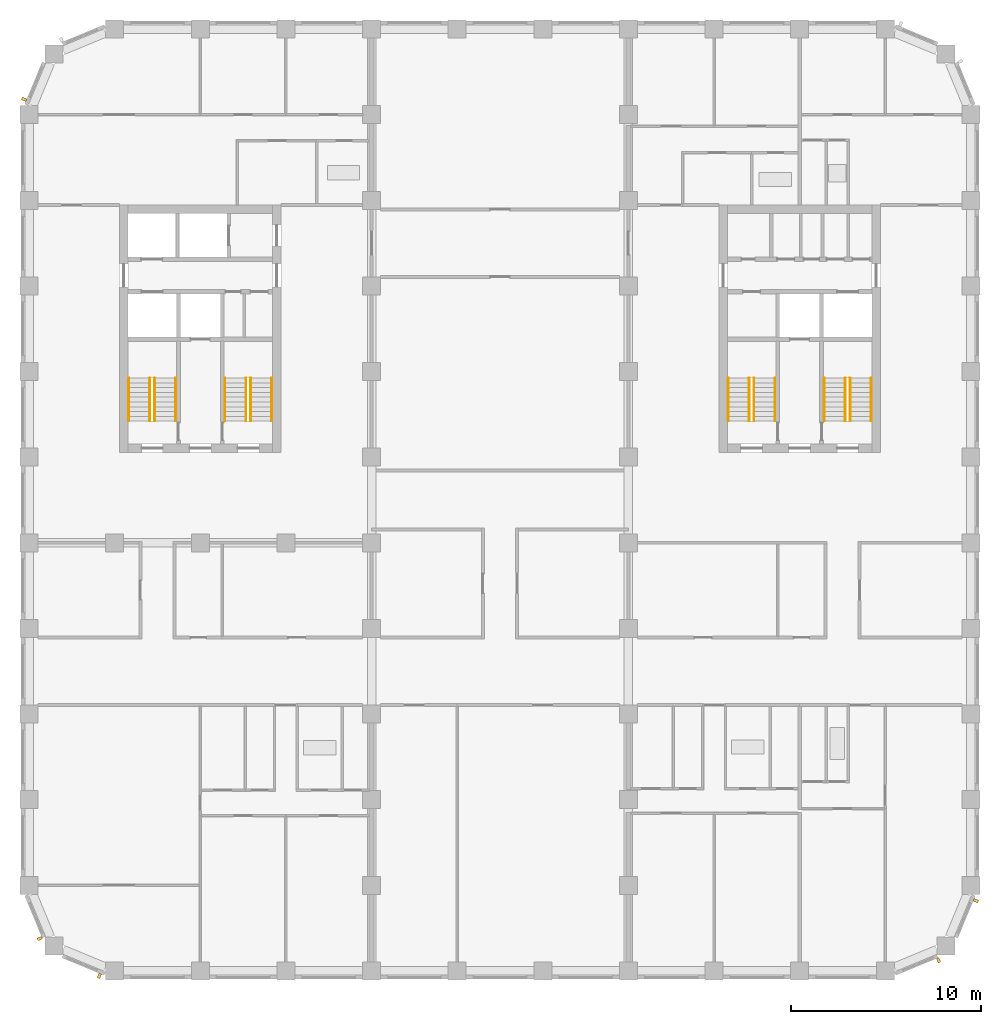
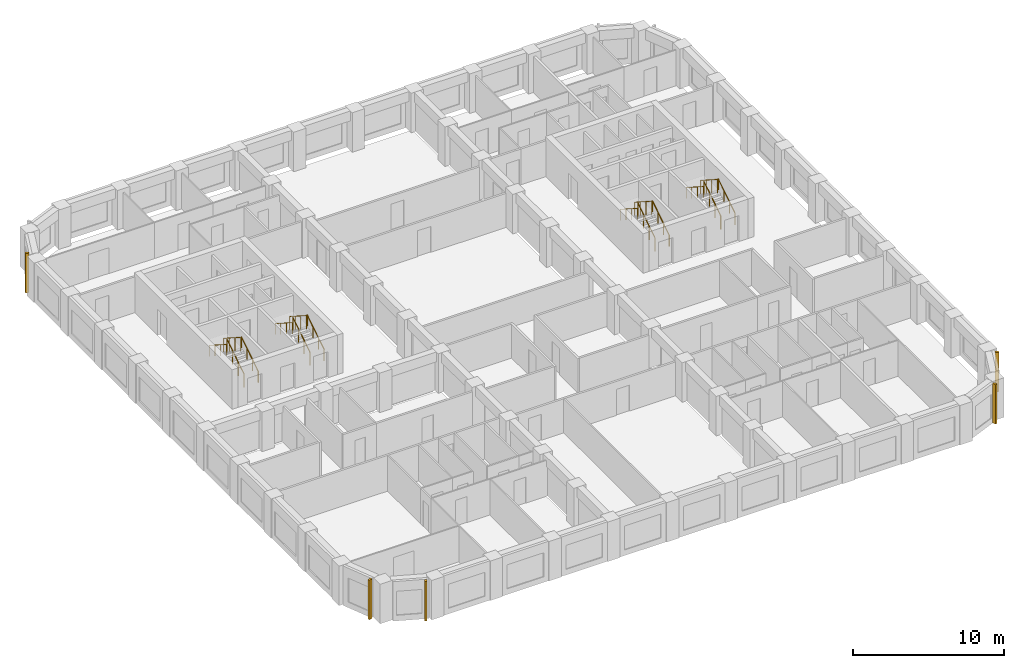
# One storey, part 10 of 12: 16 railings, 5 shading devices.
"""IFC4 building model written with IfcOpenShell, lengths in metres."""

from ifc_helpers import new_model, si_unit, direction, frame, origin, origin_2d, place, context, subcontext, project, spatial, rectangle, circle, extrude, material, type_object, element, save


model = new_model("IFC4")

# Units and contexts
model_context = context("Model", 3, precision=1e-05, world=origin(), true_north=direction((0.0, 1.0)))
body_context = subcontext(model_context, "Body", "Model", "MODEL_VIEW")
ifc_project = project(units=[si_unit("LENGTHUNIT", "METRE"), si_unit("AREAUNIT", "SQUARE_METRE"), si_unit("VOLUMEUNIT", "CUBIC_METRE"), si_unit("PLANEANGLEUNIT", "RADIAN"), si_unit("MASSUNIT", "GRAM", prefix="KILO")], contexts=[model_context])

# Site, building, storey
site_placement = place(None, origin())
site = spatial("IfcSite", under=ifc_project, at=site_placement, CompositionType="ELEMENT")
building_placement = place(site_placement, origin())
building = spatial("IfcBuilding", under=site, at=building_placement, Name="Girih Gate Residences", CompositionType="ELEMENT")
storey_placement = place(building_placement, frame((0.0, 0.0, 139.800048828125)))
storey = spatial("IfcBuildingStorey", under=building, at=storey_placement, Name="L39", CompositionType="ELEMENT", Elevation=139.800048828125)

# Shading devices
ifc_material_1 = material(Name="Precast concrete C50/60", Category="concrete")
shading_device_type = type_object("IfcShadingDeviceType", Name="Corner rib 150x250", PredefinedType="USERDEFINED", material=ifc_material_1)
for number, where, z_axis, x_axis, name in (
    (1, (0.562255859375, 1.705322265625, 0.0), (0.0, 0.0, 1.0), (0.382683432365, -0.923879532511, 0.0), "Corner rib SW0000_0045.0"),
    (2, (3.691650390625, -0.260498046875, 0.0), (0.0, 0.0, 1.0), (0.923879532511, -0.382683432365, 0.0), "Corner rib SW0013_0013.0"),
    (3, (47.794677734375, 0.562255859375, 0.0), (0.0, 0.0, 1.0), (0.923879532511, 0.382683432365, 0.0), "Corner rib SE0450_0000.0"),
    (4, (49.760498046875, 3.691650390625, 0.0), (0.0, 0.0, 1.0), (0.382683432365, 0.923879532511, 0.0), "Corner rib SE0482_0013.0"),
    (5, (-0.260498046875, 45.808349609375, 0.0), (0.0, 0.0, 1.0), (-0.382683432365, -0.923879532511, 0.0), "Corner rib NW0013_0482.0"),
):
    element("IfcShadingDevice", number, at=place(storey_placement, frame(where, z_axis=z_axis, x_axis=x_axis)), inside=storey, type_object=shading_device_type, Name=name, ObjectType="FIN", PredefinedType="USERDEFINED", context=body_context, shape_type="SweptSolid", body=[
        extrude(rectangle(XDim=0.14990234375, YDim=0.25, at=origin_2d()), origin(), (0.0, 0.0, 1.0), 3.199951171875),
    ])

# Railings
ifc_material_2 = material(Name="Stainless steel", Category="steel")
railing_type_1 = type_object("IfcRailingType", Name="Stair guard 1100", PredefinedType="GUARDRAIL", material=ifc_material_2)
railing_1_placement = place(storey_placement, frame((6.60009765625, 28.89990234375, 0.159912109375)))
element("IfcRailing", 6, at=railing_1_placement, inside=storey, type_object=railing_type_1, Name="L39 ST-W1 stair guard 1", PredefinedType="GUARDRAIL", context=body_context, shape_type="SweptSolid", body=[
    extrude(circle(Radius=0.02392578125, at=origin_2d()), frame((0.0, 0.0, 1.076171875), z_axis=(0.0, 0.842281359387, 0.539038135598), x_axis=(-1.0, 0.0, 0.0)), (0.0, 0.0, 1.0), 2.67138671875),
    extrude(circle(Radius=0.02099609375, at=origin_2d()), origin(), (0.0, 0.0, 1.0), 1.052001953125),
    extrude(circle(Radius=0.02099609375, at=origin_2d()), frame((0.0, 0.75, 0.47998046875)), (0.0, 0.0, 1.0), 1.052001953125),
    extrude(circle(Radius=0.02099609375, at=origin_2d()), frame((0.0, 1.5, 0.9599609375)), (0.0, 0.0, 1.0), 1.052001953125),
    extrude(circle(Radius=0.02099609375, at=origin_2d()), frame((0.0, 2.25, 1.43994140625)), (0.0, 0.0, 1.0), 1.052001953125),
])
railing_2_placement = place(storey_placement, frame((6.35009765625, 31.14990234375, 1.760009765625)))
element("IfcRailing", 7, at=railing_2_placement, inside=storey, type_object=railing_type_1, Name="L39 ST-W1 stair guard 2", PredefinedType="GUARDRAIL", context=body_context, shape_type="SweptSolid", body=[
    extrude(circle(Radius=0.02392578125, at=origin_2d()), frame((0.0, 0.0, 1.076171875), z_axis=(0.0, -0.842281359387, 0.539038135598), x_axis=(1.0, 0.0, 0.0)), (0.0, 0.0, 1.0), 2.67138671875),
    extrude(circle(Radius=0.02099609375, at=origin_2d()), origin(), (0.0, 0.0, 1.0), 1.052001953125),
    extrude(circle(Radius=0.02099609375, at=origin_2d()), frame((0.0, -0.75, 0.47998046875)), (0.0, 0.0, 1.0), 1.052001953125),
    extrude(circle(Radius=0.02099609375, at=origin_2d()), frame((0.0, -1.5, 0.9599609375)), (0.0, 0.0, 1.0), 1.052001953125),
    extrude(circle(Radius=0.02099609375, at=origin_2d()), frame((0.0, -2.25, 1.43994140625)), (0.0, 0.0, 1.0), 1.052001953125),
])
railing_3_placement = place(storey_placement, frame((11.64990234375, 28.89990234375, 0.159912109375)))
element("IfcRailing", 8, at=railing_3_placement, inside=storey, type_object=railing_type_1, Name="L39 ST-W2 stair guard 1", PredefinedType="GUARDRAIL", context=body_context, shape_type="SweptSolid", body=[
    extrude(circle(Radius=0.02392578125, at=origin_2d()), frame((0.0, 0.0, 1.076171875), z_axis=(0.0, 0.842281359387, 0.539038135598), x_axis=(-1.0, 0.0, 0.0)), (0.0, 0.0, 1.0), 2.67138671875),
    extrude(circle(Radius=0.02099609375, at=origin_2d()), origin(), (0.0, 0.0, 1.0), 1.052001953125),
    extrude(circle(Radius=0.02099609375, at=origin_2d()), frame((0.0, 0.75, 0.47998046875)), (0.0, 0.0, 1.0), 1.052001953125),
    extrude(circle(Radius=0.02099609375, at=origin_2d()), frame((0.0, 1.5, 0.9599609375)), (0.0, 0.0, 1.0), 1.052001953125),
    extrude(circle(Radius=0.02099609375, at=origin_2d()), frame((0.0, 2.25, 1.43994140625)), (0.0, 0.0, 1.0), 1.052001953125),
])
railing_4_placement = place(storey_placement, frame((11.39990234375, 31.14990234375, 1.760009765625)))
element("IfcRailing", 9, at=railing_4_placement, inside=storey, type_object=railing_type_1, Name="L39 ST-W2 stair guard 2", PredefinedType="GUARDRAIL", context=body_context, shape_type="SweptSolid", body=[
    extrude(circle(Radius=0.02392578125, at=origin_2d()), frame((0.0, 0.0, 1.076171875), z_axis=(0.0, -0.842281359387, 0.539038135598), x_axis=(1.0, 0.0, 0.0)), (0.0, 0.0, 1.0), 2.67138671875),
    extrude(circle(Radius=0.02099609375, at=origin_2d()), origin(), (0.0, 0.0, 1.0), 1.052001953125),
    extrude(circle(Radius=0.02099609375, at=origin_2d()), frame((0.0, -0.75, 0.47998046875)), (0.0, 0.0, 1.0), 1.052001953125),
    extrude(circle(Radius=0.02099609375, at=origin_2d()), frame((0.0, -1.5, 0.9599609375)), (0.0, 0.0, 1.0), 1.052001953125),
    extrude(circle(Radius=0.02099609375, at=origin_2d()), frame((0.0, -2.25, 1.43994140625)), (0.0, 0.0, 1.0), 1.052001953125),
])
railing_5_placement = place(storey_placement, frame((43.14990234375, 28.89990234375, 0.159912109375)))
element("IfcRailing", 10, at=railing_5_placement, inside=storey, type_object=railing_type_1, Name="L39 ST-E1 stair guard 1", PredefinedType="GUARDRAIL", context=body_context, shape_type="SweptSolid", body=[
    extrude(circle(Radius=0.02392578125, at=origin_2d()), frame((0.0, 0.0, 1.076171875), z_axis=(0.0, 0.842281359387, 0.539038135598), x_axis=(-1.0, 0.0, 0.0)), (0.0, 0.0, 1.0), 2.67138671875),
    extrude(circle(Radius=0.02099609375, at=origin_2d()), origin(), (0.0, 0.0, 1.0), 1.052001953125),
    extrude(circle(Radius=0.02099609375, at=origin_2d()), frame((0.0, 0.75, 0.47998046875)), (0.0, 0.0, 1.0), 1.052001953125),
    extrude(circle(Radius=0.02099609375, at=origin_2d()), frame((0.0, 1.5, 0.9599609375)), (0.0, 0.0, 1.0), 1.052001953125),
    extrude(circle(Radius=0.02099609375, at=origin_2d()), frame((0.0, 2.25, 1.43994140625)), (0.0, 0.0, 1.0), 1.052001953125),
])
railing_6_placement = place(storey_placement, frame((42.89990234375, 31.14990234375, 1.760009765625)))
element("IfcRailing", 11, at=railing_6_placement, inside=storey, type_object=railing_type_1, Name="L39 ST-E1 stair guard 2", PredefinedType="GUARDRAIL", context=body_context, shape_type="SweptSolid", body=[
    extrude(circle(Radius=0.02392578125, at=origin_2d()), frame((0.0, 0.0, 1.076171875), z_axis=(0.0, -0.842281359387, 0.539038135598), x_axis=(1.0, 0.0, 0.0)), (0.0, 0.0, 1.0), 2.67138671875),
    extrude(circle(Radius=0.02099609375, at=origin_2d()), origin(), (0.0, 0.0, 1.0), 1.052001953125),
    extrude(circle(Radius=0.02099609375, at=origin_2d()), frame((0.0, -0.75, 0.47998046875)), (0.0, 0.0, 1.0), 1.052001953125),
    extrude(circle(Radius=0.02099609375, at=origin_2d()), frame((0.0, -1.5, 0.9599609375)), (0.0, 0.0, 1.0), 1.052001953125),
    extrude(circle(Radius=0.02099609375, at=origin_2d()), frame((0.0, -2.25, 1.43994140625)), (0.0, 0.0, 1.0), 1.052001953125),
])
railing_7_placement = place(storey_placement, frame((38.10009765625, 28.89990234375, 0.159912109375)))
element("IfcRailing", 12, at=railing_7_placement, inside=storey, type_object=railing_type_1, Name="L39 ST-E2 stair guard 1", PredefinedType="GUARDRAIL", context=body_context, shape_type="SweptSolid", body=[
    extrude(circle(Radius=0.02392578125, at=origin_2d()), frame((0.0, 0.0, 1.076171875), z_axis=(0.0, 0.842281359387, 0.539038135598), x_axis=(-1.0, 0.0, 0.0)), (0.0, 0.0, 1.0), 2.67138671875),
    extrude(circle(Radius=0.02099609375, at=origin_2d()), origin(), (0.0, 0.0, 1.0), 1.052001953125),
    extrude(circle(Radius=0.02099609375, at=origin_2d()), frame((0.0, 0.75, 0.47998046875)), (0.0, 0.0, 1.0), 1.052001953125),
    extrude(circle(Radius=0.02099609375, at=origin_2d()), frame((0.0, 1.5, 0.9599609375)), (0.0, 0.0, 1.0), 1.052001953125),
    extrude(circle(Radius=0.02099609375, at=origin_2d()), frame((0.0, 2.25, 1.43994140625)), (0.0, 0.0, 1.0), 1.052001953125),
])
railing_8_placement = place(storey_placement, frame((37.85009765625, 31.14990234375, 1.760009765625)))
element("IfcRailing", 13, at=railing_8_placement, inside=storey, type_object=railing_type_1, Name="L39 ST-E2 stair guard 2", PredefinedType="GUARDRAIL", context=body_context, shape_type="SweptSolid", body=[
    extrude(circle(Radius=0.02392578125, at=origin_2d()), frame((0.0, 0.0, 1.076171875), z_axis=(0.0, -0.842281359387, 0.539038135598), x_axis=(1.0, 0.0, 0.0)), (0.0, 0.0, 1.0), 2.67138671875),
    extrude(circle(Radius=0.02099609375, at=origin_2d()), origin(), (0.0, 0.0, 1.0), 1.052001953125),
    extrude(circle(Radius=0.02099609375, at=origin_2d()), frame((0.0, -0.75, 0.47998046875)), (0.0, 0.0, 1.0), 1.052001953125),
    extrude(circle(Radius=0.02099609375, at=origin_2d()), frame((0.0, -1.5, 0.9599609375)), (0.0, 0.0, 1.0), 1.052001953125),
    extrude(circle(Radius=0.02099609375, at=origin_2d()), frame((0.0, -2.25, 1.43994140625)), (0.0, 0.0, 1.0), 1.052001953125),
])
railing_type_2 = type_object("IfcRailingType", Name="Stair handrail 900", PredefinedType="HANDRAIL", material=ifc_material_2)
railing_9_placement = place(storey_placement, frame((7.699951171875, 28.89990234375, 0.159912109375)))
element("IfcRailing", 14, at=railing_9_placement, inside=storey, type_object=railing_type_2, Name="L39 ST-W1 stair handrail 1", PredefinedType="HANDRAIL", context=body_context, shape_type="SweptSolid", body=[
    extrude(circle(Radius=0.02392578125, at=origin_2d()), frame((0.0, 0.0, 0.8857421875), z_axis=(0.0, 0.842281359387, 0.539038135598), x_axis=(-1.0, 0.0, 0.0)), (0.0, 0.0, 1.0), 2.67138671875),
    extrude(circle(Radius=0.02099609375, at=origin_2d()), origin(), (0.0, 0.0, 1.0), 0.86181640625),
    extrude(circle(Radius=0.02099609375, at=origin_2d()), frame((0.0, 0.75, 0.47998046875)), (0.0, 0.0, 1.0), 0.86181640625),
    extrude(circle(Radius=0.02099609375, at=origin_2d()), frame((0.0, 1.5, 0.9599609375)), (0.0, 0.0, 1.0), 0.86181640625),
    extrude(circle(Radius=0.02099609375, at=origin_2d()), frame((0.0, 2.25, 1.43994140625)), (0.0, 0.0, 1.0), 0.86181640625),
])
railing_10_placement = place(storey_placement, frame((5.25, 31.14990234375, 1.760009765625)))
element("IfcRailing", 15, at=railing_10_placement, inside=storey, type_object=railing_type_2, Name="L39 ST-W1 stair handrail 2", PredefinedType="HANDRAIL", context=body_context, shape_type="SweptSolid", body=[
    extrude(circle(Radius=0.02392578125, at=origin_2d()), frame((0.0, 0.0, 0.8857421875), z_axis=(0.0, -0.842281359387, 0.539038135598), x_axis=(1.0, 0.0, 0.0)), (0.0, 0.0, 1.0), 2.67138671875),
    extrude(circle(Radius=0.02099609375, at=origin_2d()), origin(), (0.0, 0.0, 1.0), 0.86181640625),
    extrude(circle(Radius=0.02099609375, at=origin_2d()), frame((0.0, -0.75, 0.47998046875)), (0.0, 0.0, 1.0), 0.86181640625),
    extrude(circle(Radius=0.02099609375, at=origin_2d()), frame((0.0, -1.5, 0.9599609375)), (0.0, 0.0, 1.0), 0.86181640625),
    extrude(circle(Radius=0.02099609375, at=origin_2d()), frame((0.0, -2.25, 1.43994140625)), (0.0, 0.0, 1.0), 0.86181640625),
])
railing_11_placement = place(storey_placement, frame((12.75, 28.89990234375, 0.159912109375)))
element("IfcRailing", 16, at=railing_11_placement, inside=storey, type_object=railing_type_2, Name="L39 ST-W2 stair handrail 1", PredefinedType="HANDRAIL", context=body_context, shape_type="SweptSolid", body=[
    extrude(circle(Radius=0.02392578125, at=origin_2d()), frame((0.0, 0.0, 0.8857421875), z_axis=(0.0, 0.842281359387, 0.539038135598), x_axis=(-1.0, 0.0, 0.0)), (0.0, 0.0, 1.0), 2.67138671875),
    extrude(circle(Radius=0.02099609375, at=origin_2d()), origin(), (0.0, 0.0, 1.0), 0.86181640625),
    extrude(circle(Radius=0.02099609375, at=origin_2d()), frame((0.0, 0.75, 0.47998046875)), (0.0, 0.0, 1.0), 0.86181640625),
    extrude(circle(Radius=0.02099609375, at=origin_2d()), frame((0.0, 1.5, 0.9599609375)), (0.0, 0.0, 1.0), 0.86181640625),
    extrude(circle(Radius=0.02099609375, at=origin_2d()), frame((0.0, 2.25, 1.43994140625)), (0.0, 0.0, 1.0), 0.86181640625),
])
railing_12_placement = place(storey_placement, frame((10.300048828125, 31.14990234375, 1.760009765625)))
element("IfcRailing", 17, at=railing_12_placement, inside=storey, type_object=railing_type_2, Name="L39 ST-W2 stair handrail 2", PredefinedType="HANDRAIL", context=body_context, shape_type="SweptSolid", body=[
    extrude(circle(Radius=0.02392578125, at=origin_2d()), frame((0.0, 0.0, 0.8857421875), z_axis=(0.0, -0.842281359387, 0.539038135598), x_axis=(1.0, 0.0, 0.0)), (0.0, 0.0, 1.0), 2.67138671875),
    extrude(circle(Radius=0.02099609375, at=origin_2d()), origin(), (0.0, 0.0, 1.0), 0.86181640625),
    extrude(circle(Radius=0.02099609375, at=origin_2d()), frame((0.0, -0.75, 0.47998046875)), (0.0, 0.0, 1.0), 0.86181640625),
    extrude(circle(Radius=0.02099609375, at=origin_2d()), frame((0.0, -1.5, 0.9599609375)), (0.0, 0.0, 1.0), 0.86181640625),
    extrude(circle(Radius=0.02099609375, at=origin_2d()), frame((0.0, -2.25, 1.43994140625)), (0.0, 0.0, 1.0), 0.86181640625),
])
railing_13_placement = place(storey_placement, frame((44.25, 28.89990234375, 0.159912109375)))
element("IfcRailing", 18, at=railing_13_placement, inside=storey, type_object=railing_type_2, Name="L39 ST-E1 stair handrail 1", PredefinedType="HANDRAIL", context=body_context, shape_type="SweptSolid", body=[
    extrude(circle(Radius=0.02392578125, at=origin_2d()), frame((0.0, 0.0, 0.8857421875), z_axis=(0.0, 0.842281359387, 0.539038135598), x_axis=(-1.0, 0.0, 0.0)), (0.0, 0.0, 1.0), 2.67138671875),
    extrude(circle(Radius=0.02099609375, at=origin_2d()), origin(), (0.0, 0.0, 1.0), 0.86181640625),
    extrude(circle(Radius=0.02099609375, at=origin_2d()), frame((0.0, 0.75, 0.47998046875)), (0.0, 0.0, 1.0), 0.86181640625),
    extrude(circle(Radius=0.02099609375, at=origin_2d()), frame((0.0, 1.5, 0.9599609375)), (0.0, 0.0, 1.0), 0.86181640625),
    extrude(circle(Radius=0.02099609375, at=origin_2d()), frame((0.0, 2.25, 1.43994140625)), (0.0, 0.0, 1.0), 0.86181640625),
])
railing_14_placement = place(storey_placement, frame((41.800048828125, 31.14990234375, 1.760009765625)))
element("IfcRailing", 19, at=railing_14_placement, inside=storey, type_object=railing_type_2, Name="L39 ST-E1 stair handrail 2", PredefinedType="HANDRAIL", context=body_context, shape_type="SweptSolid", body=[
    extrude(circle(Radius=0.02392578125, at=origin_2d()), frame((0.0, 0.0, 0.8857421875), z_axis=(0.0, -0.842281359387, 0.539038135598), x_axis=(1.0, 0.0, 0.0)), (0.0, 0.0, 1.0), 2.67138671875),
    extrude(circle(Radius=0.02099609375, at=origin_2d()), origin(), (0.0, 0.0, 1.0), 0.86181640625),
    extrude(circle(Radius=0.02099609375, at=origin_2d()), frame((0.0, -0.75, 0.47998046875)), (0.0, 0.0, 1.0), 0.86181640625),
    extrude(circle(Radius=0.02099609375, at=origin_2d()), frame((0.0, -1.5, 0.9599609375)), (0.0, 0.0, 1.0), 0.86181640625),
    extrude(circle(Radius=0.02099609375, at=origin_2d()), frame((0.0, -2.25, 1.43994140625)), (0.0, 0.0, 1.0), 0.86181640625),
])
railing_15_placement = place(storey_placement, frame((39.199951171875, 28.89990234375, 0.159912109375)))
element("IfcRailing", 20, at=railing_15_placement, inside=storey, type_object=railing_type_2, Name="L39 ST-E2 stair handrail 1", PredefinedType="HANDRAIL", context=body_context, shape_type="SweptSolid", body=[
    extrude(circle(Radius=0.02392578125, at=origin_2d()), frame((0.0, 0.0, 0.8857421875), z_axis=(0.0, 0.842281359387, 0.539038135598), x_axis=(-1.0, 0.0, 0.0)), (0.0, 0.0, 1.0), 2.67138671875),
    extrude(circle(Radius=0.02099609375, at=origin_2d()), origin(), (0.0, 0.0, 1.0), 0.86181640625),
    extrude(circle(Radius=0.02099609375, at=origin_2d()), frame((0.0, 0.75, 0.47998046875)), (0.0, 0.0, 1.0), 0.86181640625),
    extrude(circle(Radius=0.02099609375, at=origin_2d()), frame((0.0, 1.5, 0.9599609375)), (0.0, 0.0, 1.0), 0.86181640625),
    extrude(circle(Radius=0.02099609375, at=origin_2d()), frame((0.0, 2.25, 1.43994140625)), (0.0, 0.0, 1.0), 0.86181640625),
])
railing_16_placement = place(storey_placement, frame((36.75, 31.14990234375, 1.760009765625)))
element("IfcRailing", 21, at=railing_16_placement, inside=storey, type_object=railing_type_2, Name="L39 ST-E2 stair handrail 2", PredefinedType="HANDRAIL", context=body_context, shape_type="SweptSolid", body=[
    extrude(circle(Radius=0.02392578125, at=origin_2d()), frame((0.0, 0.0, 0.8857421875), z_axis=(0.0, -0.842281359387, 0.539038135598), x_axis=(1.0, 0.0, 0.0)), (0.0, 0.0, 1.0), 2.67138671875),
    extrude(circle(Radius=0.02099609375, at=origin_2d()), origin(), (0.0, 0.0, 1.0), 0.86181640625),
    extrude(circle(Radius=0.02099609375, at=origin_2d()), frame((0.0, -0.75, 0.47998046875)), (0.0, 0.0, 1.0), 0.86181640625),
    extrude(circle(Radius=0.02099609375, at=origin_2d()), frame((0.0, -1.5, 0.9599609375)), (0.0, 0.0, 1.0), 0.86181640625),
    extrude(circle(Radius=0.02099609375, at=origin_2d()), frame((0.0, -2.25, 1.43994140625)), (0.0, 0.0, 1.0), 0.86181640625),
])

save(model, "model.ifc")
